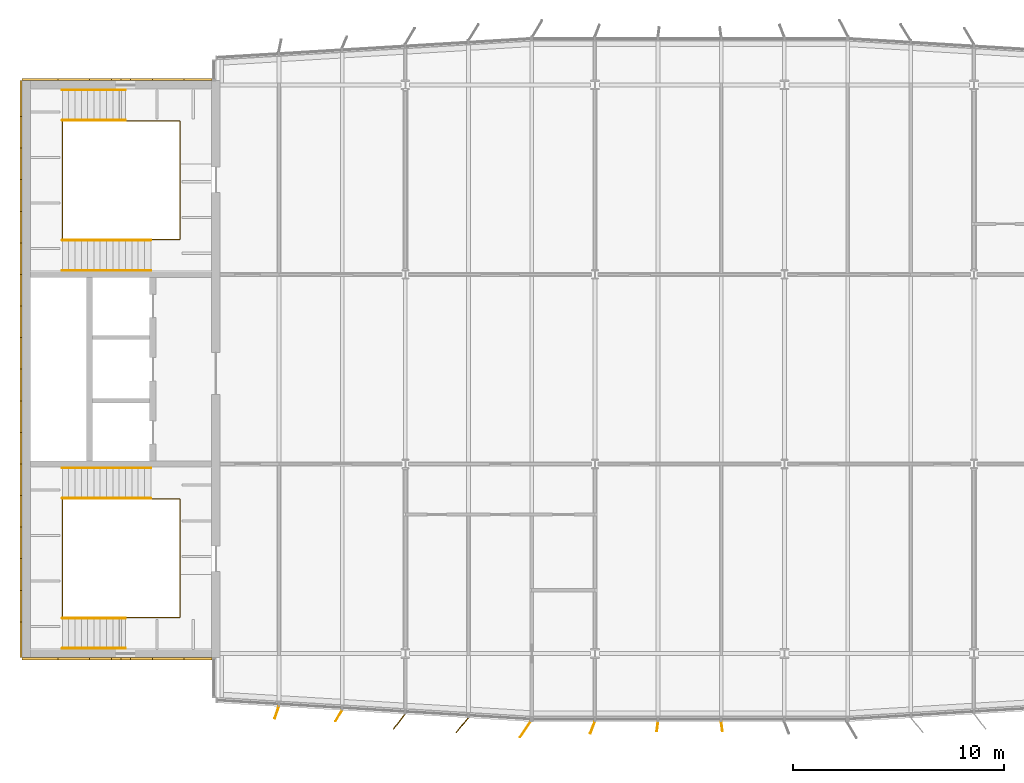
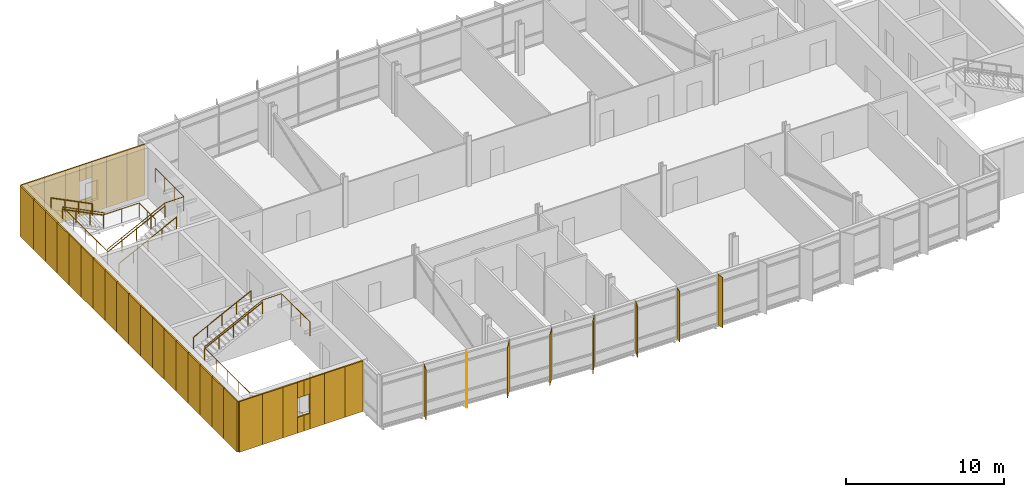
# One storey, part 16 of 18: 38 coverings, 10 railings, 8 shading devices.
"""IFC4 building model written with IfcOpenShell, lengths in metres."""

from ifc_helpers import new_model, si_unit, direction, frame, origin, origin_2d, place, context, subcontext, project, spatial, rectangle, circle, extrude, material, layer, layer_set, type_object, element, save


model = new_model("IFC4")

# Units and contexts
model_context = context("Model", 3, precision=1e-05, world=origin(), true_north=direction((0.0, 1.0)))
body_context = subcontext(model_context, "Body", "Model", "MODEL_VIEW")
ifc_project = project(units=[si_unit("LENGTHUNIT", "METRE"), si_unit("AREAUNIT", "SQUARE_METRE"), si_unit("VOLUMEUNIT", "CUBIC_METRE"), si_unit("PLANEANGLEUNIT", "RADIAN"), si_unit("MASSUNIT", "GRAM", prefix="KILO")], contexts=[model_context])

# Site, building, storey
site_placement = place(None, origin())
site = spatial("IfcSite", under=ifc_project, at=site_placement, CompositionType="ELEMENT")
building_placement = place(site_placement, origin())
building = spatial("IfcBuilding", under=site, at=building_placement, Name="Azimuth Sports and Learning Centre", CompositionType="ELEMENT")
storey_placement = place(building_placement, frame((0.0, 0.0, 55.800048828125)))
storey = spatial("IfcBuildingStorey", under=building, at=storey_placement, Name="L12", CompositionType="ELEMENT", Elevation=55.800048828125)

# Coverings
ifc_material_1 = material(Name="Cladding panel")
ifc_layer_1 = layer(ifc_material_1, 0.10009765625)
ifc_layer_set_1 = layer_set([ifc_layer_1], Name="Cladding panel")
covering_type = type_object("IfcCoveringType", Name="Cladding panel 100", PredefinedType="CLADDING", material=ifc_layer_set_1)
covering_1_placement = place(storey_placement, frame((54.64990234375, 89.75, 0.0), z_axis=(0.0, 0.0, 1.0), x_axis=(1.0, 0.0, 0.0)))
element("IfcCovering", 1, at=covering_1_placement, inside=storey, type_object=covering_type, Name="Cladding panel S-CORE W L12 1", PredefinedType="CLADDING", context=body_context, shape_type="SweptSolid", body=[
    extrude(rectangle(XDim=1.699951171875, YDim=0.10009765625, at=origin_2d()), origin(), (0.0, 0.0, 1.0), 3.89990234375),
])
covering_2_placement = place(storey_placement, frame((56.25, 89.75, 0.0), z_axis=(0.0, 0.0, 1.0), x_axis=(1.0, 0.0, 0.0)))
element("IfcCovering", 2, at=covering_2_placement, inside=storey, type_object=covering_type, Name="Cladding panel S-CORE W L12 2", PredefinedType="CLADDING", context=body_context, shape_type="SweptSolid", body=[
    extrude(rectangle(XDim=1.5, YDim=0.10009765625, at=origin_2d()), origin(), (0.0, 0.0, 1.0), 3.89990234375),
])
covering_3_placement = place(storey_placement, frame((57.52490234375, 89.75, 0.0), z_axis=(0.0, 0.0, 1.0), x_axis=(1.0, 0.0, 0.0)))
element("IfcCovering", 3, at=covering_3_placement, inside=storey, type_object=covering_type, Name="Cladding panel S-CORE W L12 3", PredefinedType="CLADDING", context=body_context, shape_type="SweptSolid", body=[
    extrude(rectangle(XDim=1.050048828125, YDim=0.10009765625, at=origin_2d()), origin(), (0.0, 0.0, 1.0), 3.89990234375),
])
for number, where, z_axis, x_axis, name in (
    (4, (58.27490234375, 89.75, 0.0), (0.0, 0.0, 1.0), (1.0, 0.0, 0.0), "Cladding panel S-CORE W L12 4"),
    (5, (58.27490234375, 89.75, 2.7001953125), (0.0, 0.0, 1.0), (1.0, 0.0, 0.0), "Cladding panel S-CORE W L12 5"),
):
    element("IfcCovering", number, at=place(storey_placement, frame(where, z_axis=z_axis, x_axis=x_axis)), inside=storey, type_object=covering_type, Name=name, PredefinedType="CLADDING", context=body_context, shape_type="SweptSolid", body=[
        extrude(rectangle(XDim=0.449951171875, YDim=0.10009765625, at=origin_2d()), origin(), (0.0, 0.0, 1.0), 1.199951171875),
    ])
covering_4_placement = place(storey_placement, frame((59.47509765625, 89.75, 0.0), z_axis=(0.0, 0.0, 1.0), x_axis=(1.0, 0.0, 0.0)))
element("IfcCovering", 6, at=covering_4_placement, inside=storey, type_object=covering_type, Name="Cladding panel S-CORE W L12 6", PredefinedType="CLADDING", context=body_context, shape_type="SweptSolid", body=[
    extrude(rectangle(XDim=1.050048828125, YDim=0.10009765625, at=origin_2d()), origin(), (0.0, 0.0, 1.0), 3.89990234375),
])
for number, where, z_axis, x_axis, name in (
    (7, (58.72509765625, 89.75, 0.0), (0.0, 0.0, 1.0), (1.0, 0.0, 0.0), "Cladding panel S-CORE W L12 7"),
    (8, (58.72509765625, 89.75, 2.7001953125), (0.0, 0.0, 1.0), (1.0, 0.0, 0.0), "Cladding panel S-CORE W L12 8"),
):
    element("IfcCovering", number, at=place(storey_placement, frame(where, z_axis=z_axis, x_axis=x_axis)), inside=storey, type_object=covering_type, Name=name, PredefinedType="CLADDING", context=body_context, shape_type="SweptSolid", body=[
        extrude(rectangle(XDim=0.449951171875, YDim=0.10009765625, at=origin_2d()), origin(), (0.0, 0.0, 1.0), 1.199951171875),
    ])
covering_5_placement = place(storey_placement, frame((60.75, 89.75, 0.0), z_axis=(0.0, 0.0, 1.0), x_axis=(1.0, 0.0, 0.0)))
element("IfcCovering", 9, at=covering_5_placement, inside=storey, type_object=covering_type, Name="Cladding panel S-CORE W L12 9", PredefinedType="CLADDING", context=body_context, shape_type="SweptSolid", body=[
    extrude(rectangle(XDim=1.5, YDim=0.10009765625, at=origin_2d()), origin(), (0.0, 0.0, 1.0), 3.89990234375),
])
for number, where, z_axis, x_axis, name in (
    (10, (62.159912109375, 89.75, 0.0), (0.0, 0.0, 1.0), (1.0, 0.0, 0.0), "Cladding panel S-CORE W L12 10"),
    (11, (62.159912109375, 117.25, 0.0), (0.0, 0.0, 1.0), (-1.0, 0.0, 0.0), "Cladding panel N-CORE W L12 1"),
):
    element("IfcCovering", number, at=place(storey_placement, frame(where, z_axis=z_axis, x_axis=x_axis)), inside=storey, type_object=covering_type, Name=name, PredefinedType="CLADDING", context=body_context, shape_type="SweptSolid", body=[
        extrude(rectangle(XDim=1.320068359375, YDim=0.10009765625, at=origin_2d()), origin(), (0.0, 0.0, 1.0), 3.89990234375),
    ])
covering_6_placement = place(storey_placement, frame((60.75, 117.25, 0.0), z_axis=(0.0, 0.0, 1.0), x_axis=(-1.0, 0.0, 0.0)))
element("IfcCovering", 12, at=covering_6_placement, inside=storey, type_object=covering_type, Name="Cladding panel N-CORE W L12 2", PredefinedType="CLADDING", context=body_context, shape_type="SweptSolid", body=[
    extrude(rectangle(XDim=1.5, YDim=0.10009765625, at=origin_2d()), origin(), (0.0, 0.0, 1.0), 3.89990234375),
])
covering_7_placement = place(storey_placement, frame((59.47509765625, 117.25, 0.0), z_axis=(0.0, 0.0, 1.0), x_axis=(-1.0, 0.0, 0.0)))
element("IfcCovering", 13, at=covering_7_placement, inside=storey, type_object=covering_type, Name="Cladding panel N-CORE W L12 3", PredefinedType="CLADDING", context=body_context, shape_type="SweptSolid", body=[
    extrude(rectangle(XDim=1.050048828125, YDim=0.10009765625, at=origin_2d()), origin(), (0.0, 0.0, 1.0), 3.89990234375),
])
for number, where, z_axis, x_axis, name in (
    (14, (58.72509765625, 117.25, 0.0), (0.0, 0.0, 1.0), (-1.0, 0.0, 0.0), "Cladding panel N-CORE W L12 4"),
    (15, (58.72509765625, 117.25, 2.7001953125), (0.0, 0.0, 1.0), (-1.0, 0.0, 0.0), "Cladding panel N-CORE W L12 5"),
):
    element("IfcCovering", number, at=place(storey_placement, frame(where, z_axis=z_axis, x_axis=x_axis)), inside=storey, type_object=covering_type, Name=name, PredefinedType="CLADDING", context=body_context, shape_type="SweptSolid", body=[
        extrude(rectangle(XDim=0.449951171875, YDim=0.10009765625, at=origin_2d()), origin(), (0.0, 0.0, 1.0), 1.199951171875),
    ])
covering_8_placement = place(storey_placement, frame((57.52490234375, 117.25, 0.0), z_axis=(0.0, 0.0, 1.0), x_axis=(-1.0, 0.0, 0.0)))
element("IfcCovering", 16, at=covering_8_placement, inside=storey, type_object=covering_type, Name="Cladding panel N-CORE W L12 6", PredefinedType="CLADDING", context=body_context, shape_type="SweptSolid", body=[
    extrude(rectangle(XDim=1.050048828125, YDim=0.10009765625, at=origin_2d()), origin(), (0.0, 0.0, 1.0), 3.89990234375),
])
for number, where, z_axis, x_axis, name in (
    (17, (58.27490234375, 117.25, 0.0), (0.0, 0.0, 1.0), (-1.0, 0.0, 0.0), "Cladding panel N-CORE W L12 7"),
    (18, (58.27490234375, 117.25, 2.7001953125), (0.0, 0.0, 1.0), (-1.0, 0.0, 0.0), "Cladding panel N-CORE W L12 8"),
):
    element("IfcCovering", number, at=place(storey_placement, frame(where, z_axis=z_axis, x_axis=x_axis)), inside=storey, type_object=covering_type, Name=name, PredefinedType="CLADDING", context=body_context, shape_type="SweptSolid", body=[
        extrude(rectangle(XDim=0.449951171875, YDim=0.10009765625, at=origin_2d()), origin(), (0.0, 0.0, 1.0), 1.199951171875),
    ])
covering_9_placement = place(storey_placement, frame((56.25, 117.25, 0.0), z_axis=(0.0, 0.0, 1.0), x_axis=(-1.0, 0.0, 0.0)))
element("IfcCovering", 19, at=covering_9_placement, inside=storey, type_object=covering_type, Name="Cladding panel N-CORE W L12 9", PredefinedType="CLADDING", context=body_context, shape_type="SweptSolid", body=[
    extrude(rectangle(XDim=1.5, YDim=0.10009765625, at=origin_2d()), origin(), (0.0, 0.0, 1.0), 3.89990234375),
])
for number, where, z_axis, x_axis, name in (
    (20, (54.64990234375, 117.25, 0.0), (0.0, 0.0, 1.0), (-1.0, 0.0, 0.0), "Cladding panel N-CORE W L12 10"),
    (21, (53.75, 116.35009765625, 0.0), (0.0, 0.0, 1.0), (0.0, -1.0, 0.0), "Cladding panel W-CORE W L12 1"),
):
    element("IfcCovering", number, at=place(storey_placement, frame(where, z_axis=z_axis, x_axis=x_axis)), inside=storey, type_object=covering_type, Name=name, PredefinedType="CLADDING", context=body_context, shape_type="SweptSolid", body=[
        extrude(rectangle(XDim=1.699951171875, YDim=0.10009765625, at=origin_2d()), origin(), (0.0, 0.0, 1.0), 3.89990234375),
    ])
for number, where, z_axis, x_axis, name in (
    (22, (53.75, 114.75, 0.0), (0.0, 0.0, 1.0), (0.0, -1.0, 0.0), "Cladding panel W-CORE W L12 2"),
    (23, (53.75, 113.25, 0.0), (0.0, 0.0, 1.0), (0.0, -1.0, 0.0), "Cladding panel W-CORE W L12 3"),
    (24, (53.75, 111.75, 0.0), (0.0, 0.0, 1.0), (0.0, -1.0, 0.0), "Cladding panel W-CORE W L12 4"),
    (25, (53.75, 110.25, 0.0), (0.0, 0.0, 1.0), (0.0, -1.0, 0.0), "Cladding panel W-CORE W L12 5"),
    (26, (53.75, 108.75, 0.0), (0.0, 0.0, 1.0), (0.0, -1.0, 0.0), "Cladding panel W-CORE W L12 6"),
    (27, (53.75, 107.25, 0.0), (0.0, 0.0, 1.0), (0.0, -1.0, 0.0), "Cladding panel W-CORE W L12 7"),
    (28, (53.75, 105.75, 0.0), (0.0, 0.0, 1.0), (0.0, -1.0, 0.0), "Cladding panel W-CORE W L12 8"),
    (29, (53.75, 104.25, 0.0), (0.0, 0.0, 1.0), (0.0, -1.0, 0.0), "Cladding panel W-CORE W L12 9"),
    (30, (53.75, 102.75, 0.0), (0.0, 0.0, 1.0), (0.0, -1.0, 0.0), "Cladding panel W-CORE W L12 10"),
    (31, (53.75, 101.25, 0.0), (0.0, 0.0, 1.0), (0.0, -1.0, 0.0), "Cladding panel W-CORE W L12 11"),
    (32, (53.75, 99.75, 0.0), (0.0, 0.0, 1.0), (0.0, -1.0, 0.0), "Cladding panel W-CORE W L12 12"),
    (33, (53.75, 98.25, 0.0), (0.0, 0.0, 1.0), (0.0, -1.0, 0.0), "Cladding panel W-CORE W L12 13"),
    (34, (53.75, 96.75, 0.0), (0.0, 0.0, 1.0), (0.0, -1.0, 0.0), "Cladding panel W-CORE W L12 14"),
    (35, (53.75, 95.25, 0.0), (0.0, 0.0, 1.0), (0.0, -1.0, 0.0), "Cladding panel W-CORE W L12 15"),
    (36, (53.75, 93.75, 0.0), (0.0, 0.0, 1.0), (0.0, -1.0, 0.0), "Cladding panel W-CORE W L12 16"),
    (37, (53.75, 92.25, 0.0), (0.0, 0.0, 1.0), (0.0, -1.0, 0.0), "Cladding panel W-CORE W L12 17"),
):
    element("IfcCovering", number, at=place(storey_placement, frame(where, z_axis=z_axis, x_axis=x_axis)), inside=storey, type_object=covering_type, Name=name, PredefinedType="CLADDING", context=body_context, shape_type="SweptSolid", body=[
        extrude(rectangle(XDim=1.5, YDim=0.10009765625, at=origin_2d()), origin(), (0.0, 0.0, 1.0), 3.89990234375),
    ])
covering_10_placement = place(storey_placement, frame((53.75, 90.64990234375, 0.0), z_axis=(0.0, 0.0, 1.0), x_axis=(0.0, -1.0, 0.0)))
element("IfcCovering", 38, at=covering_10_placement, inside=storey, type_object=covering_type, Name="Cladding panel W-CORE W L12 18", PredefinedType="CLADDING", context=body_context, shape_type="SweptSolid", body=[
    extrude(rectangle(XDim=1.699951171875, YDim=0.10009765625, at=origin_2d()), origin(), (0.0, 0.0, 1.0), 3.89990234375),
])

# Shading devices
ifc_material_2 = material(Name="Aluminium", Category="aluminium")
ifc_layer_2 = layer(ifc_material_2, 0.0400390625)
ifc_layer_set_2 = layer_set([ifc_layer_2], Name="Aluminium")
shading_device_type_1 = type_object("IfcShadingDeviceType", Name="Shading fin 450", PredefinedType="JALOUSIE", material=ifc_layer_set_2)
for number, where, z_axis, x_axis, name in (
    (39, (83.970703125, 86.536865234375, 0.0), (0.0, 0.0, 1.0), (-0.130263528306, -0.991479406338, 0.0), "Shading fin F12-007"),
    (40, (87.029296875, 86.536865234375, 0.0), (0.0, 0.0, 1.0), (0.130263528306, -0.991479406338, 0.0), "Shading fin F12-008"),
):
    element("IfcShadingDevice", number, at=place(storey_placement, frame(where, z_axis=z_axis, x_axis=x_axis)), inside=storey, type_object=shading_device_type_1, Name=name, PredefinedType="JALOUSIE", context=body_context, shape_type="SweptSolid", body=[
        extrude(rectangle(XDim=0.449951171875, YDim=0.0400390625, at=origin_2d()), origin(), (0.0, 0.0, 1.0), 3.89990234375),
    ])
ifc_material_3 = material(Name="Aluminium", Category="aluminium")
ifc_layer_3 = layer(ifc_material_3, 0.0400390625)
ifc_layer_set_3 = layer_set([ifc_layer_3], Name="Aluminium")
shading_device_type_2 = type_object("IfcShadingDeviceType", Name="Shading fin 600", PredefinedType="JALOUSIE", material=ifc_layer_set_3)
for number, where, z_axis, x_axis, name in (
    (41, (65.892578125, 87.1953125, 0.0), (0.0, 0.0, 1.0), (-0.310280447308, -0.950645067319, 0.0), "Shading fin F12-001"),
    (42, (68.834716796875, 87.041015625, 0.0), (0.0, 0.0, 1.0), (-0.50282122482, -0.864390430228, 0.0), "Shading fin F12-002"),
    (43, (80.8916015625, 86.480224609375, 0.0), (0.0, 0.0, 1.0), (-0.36097797694, -0.932574340288, 0.0), "Shading fin F12-006"),
):
    element("IfcShadingDevice", number, at=place(storey_placement, frame(where, z_axis=z_axis, x_axis=x_axis)), inside=storey, type_object=shading_device_type_2, Name=name, PredefinedType="JALOUSIE", context=body_context, shape_type="SweptSolid", body=[
        extrude(rectangle(XDim=0.60009765625, YDim=0.0400390625, at=origin_2d()), origin(), (0.0, 0.0, 1.0), 3.89990234375),
    ])
ifc_material_4 = material(Name="Aluminium", Category="aluminium")
ifc_layer_4 = layer(ifc_material_4, 0.0400390625)
ifc_layer_set_4 = layer_set([ifc_layer_4], Name="Aluminium")
shading_device_type_3 = type_object("IfcShadingDeviceType", Name="Shading fin 900", PredefinedType="JALOUSIE", material=ifc_layer_set_4)
for number, where, z_axis, x_axis, name in (
    (44, (71.710693359375, 86.76416015625, 0.0), (0.0, 0.0, 1.0), (-0.611135436755, -0.791526043755, 0.0), "Shading fin F12-003"),
    (45, (74.700927734375, 86.591796875, 0.0), (0.0, 0.0, 1.0), (-0.632521516641, -0.77454278835, 0.0), "Shading fin F12-004"),
    (46, (77.695068359375, 86.39208984375, 0.0), (0.0, 0.0, 1.0), (-0.567994981624, -0.823032016904, 0.0), "Shading fin F12-005"),
):
    element("IfcShadingDevice", number, at=place(storey_placement, frame(where, z_axis=z_axis, x_axis=x_axis)), inside=storey, type_object=shading_device_type_3, Name=name, PredefinedType="JALOUSIE", context=body_context, shape_type="SweptSolid", body=[
        extrude(rectangle(XDim=0.89990234375, YDim=0.0400390625, at=origin_2d()), origin(), (0.0, 0.0, 1.0), 3.89990234375),
    ])

# Railings
ifc_material_5 = material(Name="Stainless steel", Category="steel")
railing_type_1 = type_object("IfcRailingType", Name="Stair guard 1100", PredefinedType="GUARDRAIL", material=ifc_material_5)
railing_1_placement = place(storey_placement, frame((61.2900390625, 93.75, 0.0)))
element("IfcRailing", 47, at=railing_1_placement, inside=storey, type_object=railing_type_1, Name="Guard W1 L12 well", PredefinedType="GUARDRAIL", context=body_context, shape_type="SweptSolid", body=[
    extrude(circle(Radius=0.02392578125, at=origin_2d()), frame((0.0, 0.0, 1.076171875), z_axis=(0.0, -1.0, 0.0), x_axis=(1.0, 0.0, 0.0)), (0.0, 0.0, 1.0), 2.0400390625),
    extrude(circle(Radius=0.02392578125, at=origin_2d()), frame((0.0, -2.0400390625, 1.076171875), z_axis=(-1.0, 0.0, 0.0), x_axis=(0.0, -1.0, 0.0)), (0.0, 0.0, 1.0), 2.580078125),
    extrude(circle(Radius=0.02392578125, at=origin_2d()), frame((-2.580078125, -2.0400390625, 1.076171875), z_axis=(0.0, 0.0, 1.0), x_axis=(1.0, 0.0, 0.0)), (0.0, 0.0, 1.0), 0.14990234375),
    extrude(circle(Radius=0.02392578125, at=origin_2d()), frame((-2.580078125, -2.0400390625, 1.22607421875), z_axis=(-0.894427191, 0.0, 0.4472135955), x_axis=(0.0, -1.0, 0.0)), (0.0, 0.0, 1.0), 3.35400390625),
    extrude(circle(Radius=0.02392578125, at=origin_2d()), frame((-5.580078125, -2.0400390625, 2.72607421875), z_axis=(0.0, 1.0, 0.0), x_axis=(-1.0, 0.0, 0.0)), (0.0, 0.0, 1.0), 5.630126953125),
    extrude(circle(Radius=0.02392578125, at=origin_2d()), frame((-5.580078125, 3.590087890625, 2.72607421875), z_axis=(0.0, 0.0, 1.0), x_axis=(1.0, 0.0, 0.0)), (0.0, 0.0, 1.0), 0.150146484375),
    extrude(circle(Radius=0.02392578125, at=origin_2d()), frame((-5.580078125, 3.590087890625, 2.8759765625), z_axis=(0.894437589381, 0.0, 0.447192798132), x_axis=(0.0, 1.0, 0.0)), (0.0, 0.0, 1.0), 4.695556640625),
    extrude(circle(Radius=0.02392578125, at=origin_2d()), frame((-1.380126953125, 3.590087890625, 4.97607421875), z_axis=(1.0, 0.0, 0.0), x_axis=(0.0, 1.0, 0.0)), (0.0, 0.0, 1.0), 1.380126953125),
    extrude(circle(Radius=0.02392578125, at=origin_2d()), frame((0.0, 3.590087890625, 4.97607421875), z_axis=(0.0, -1.0, 0.0), x_axis=(1.0, 0.0, 0.0)), (0.0, 0.0, 1.0), 3.590087890625),
    extrude(circle(Radius=0.01611328125, at=origin_2d()), origin(), (0.0, 0.0, 1.0), 1.052001953125),
    extrude(circle(Radius=0.01611328125, at=origin_2d()), frame((0.0, -1.02001953125, 0.0)), (0.0, 0.0, 1.0), 1.052001953125),
    extrude(circle(Radius=0.01611328125, at=origin_2d()), frame((0.0, -2.0400390625, 0.0)), (0.0, 0.0, 1.0), 1.052001953125),
    extrude(circle(Radius=0.01611328125, at=origin_2d()), frame((-1.2900390625, -2.0400390625, 0.0)), (0.0, 0.0, 1.0), 1.052001953125),
    extrude(circle(Radius=0.01611328125, at=origin_2d()), frame((-2.580078125, -2.0400390625, 0.0)), (0.0, 0.0, 1.0), 1.052001953125),
    extrude(circle(Radius=0.01611328125, at=origin_2d()), frame((-2.580078125, -2.0400390625, 0.14990234375)), (0.0, 0.0, 1.0), 1.052001953125),
    extrude(circle(Radius=0.01611328125, at=origin_2d()), frame((-3.580078125, -2.0400390625, 0.64990234375)), (0.0, 0.0, 1.0), 1.052001953125),
    extrude(circle(Radius=0.01611328125, at=origin_2d()), frame((-4.580078125, -2.0400390625, 1.14990234375)), (0.0, 0.0, 1.0), 1.052001953125),
    extrude(circle(Radius=0.01611328125, at=origin_2d()), frame((-5.580078125, -2.0400390625, 1.64990234375)), (0.0, 0.0, 1.0), 1.052001953125),
    extrude(circle(Radius=0.01611328125, at=origin_2d()), frame((-5.580078125, -0.632568359375, 1.64990234375)), (0.0, 0.0, 1.0), 1.052001953125),
    extrude(circle(Radius=0.01611328125, at=origin_2d()), frame((-5.580078125, 0.77490234375, 1.64990234375)), (0.0, 0.0, 1.0), 1.052001953125),
    extrude(circle(Radius=0.01611328125, at=origin_2d()), frame((-5.580078125, 2.1826171875, 1.64990234375)), (0.0, 0.0, 1.0), 1.052001953125),
    extrude(circle(Radius=0.01611328125, at=origin_2d()), frame((-5.580078125, 3.590087890625, 1.64990234375)), (0.0, 0.0, 1.0), 1.052001953125),
    extrude(circle(Radius=0.01611328125, at=origin_2d()), frame((-5.580078125, 3.590087890625, 1.800048828125)), (0.0, 0.0, 1.0), 1.052001953125),
    extrude(circle(Radius=0.01611328125, at=origin_2d()), frame((-4.530029296875, 3.590087890625, 2.324951171875)), (0.0, 0.0, 1.0), 1.052001953125),
    extrude(circle(Radius=0.01611328125, at=origin_2d()), frame((-3.47998046875, 3.590087890625, 2.85009765625)), (0.0, 0.0, 1.0), 1.052001953125),
    extrude(circle(Radius=0.01611328125, at=origin_2d()), frame((-2.43017578125, 3.590087890625, 3.375)), (0.0, 0.0, 1.0), 1.052001953125),
    extrude(circle(Radius=0.01611328125, at=origin_2d()), frame((-1.380126953125, 3.590087890625, 3.89990234375)), (0.0, 0.0, 1.0), 1.052001953125),
    extrude(circle(Radius=0.01611328125, at=origin_2d()), frame((0.0, 3.590087890625, 3.89990234375)), (0.0, 0.0, 1.0), 1.052001953125),
    extrude(circle(Radius=0.01611328125, at=origin_2d()), frame((0.0, 2.393310546875, 3.89990234375)), (0.0, 0.0, 1.0), 1.052001953125),
    extrude(circle(Radius=0.01611328125, at=origin_2d()), frame((0.0, 1.19677734375, 3.89990234375)), (0.0, 0.0, 1.0), 1.052001953125),
    extrude(circle(Radius=0.01611328125, at=origin_2d()), frame((0.0, 0.0, 3.89990234375)), (0.0, 0.0, 1.0), 1.052001953125),
])
railing_2_placement = place(storey_placement, frame((61.2900390625, 113.25, 0.0)))
element("IfcRailing", 48, at=railing_2_placement, inside=storey, type_object=railing_type_1, Name="Guard W2 L12 well", PredefinedType="GUARDRAIL", context=body_context, shape_type="SweptSolid", body=[
    extrude(circle(Radius=0.02392578125, at=origin_2d()), frame((0.0, 0.0, 1.076171875), z_axis=(0.0, 1.0, 0.0), x_axis=(-1.0, 0.0, 0.0)), (0.0, 0.0, 1.0), 2.0400390625),
    extrude(circle(Radius=0.02392578125, at=origin_2d()), frame((0.0, 2.0400390625, 1.076171875), z_axis=(-1.0, 0.0, 0.0), x_axis=(0.0, -1.0, 0.0)), (0.0, 0.0, 1.0), 2.580078125),
    extrude(circle(Radius=0.02392578125, at=origin_2d()), frame((-2.580078125, 2.0400390625, 1.076171875), z_axis=(0.0, 0.0, 1.0), x_axis=(1.0, 0.0, 0.0)), (0.0, 0.0, 1.0), 0.14990234375),
    extrude(circle(Radius=0.02392578125, at=origin_2d()), frame((-2.580078125, 2.0400390625, 1.22607421875), z_axis=(-0.894427191, 0.0, 0.4472135955), x_axis=(0.0, -1.0, 0.0)), (0.0, 0.0, 1.0), 3.35400390625),
    extrude(circle(Radius=0.02392578125, at=origin_2d()), frame((-5.580078125, 2.0400390625, 2.72607421875), z_axis=(0.0, -1.0, 0.0), x_axis=(1.0, 0.0, 0.0)), (0.0, 0.0, 1.0), 5.630126953125),
    extrude(circle(Radius=0.02392578125, at=origin_2d()), frame((-5.580078125, -3.590087890625, 2.72607421875), z_axis=(0.0, 0.0, 1.0), x_axis=(1.0, 0.0, 0.0)), (0.0, 0.0, 1.0), 0.150146484375),
    extrude(circle(Radius=0.02392578125, at=origin_2d()), frame((-5.580078125, -3.590087890625, 2.8759765625), z_axis=(0.894437589381, 0.0, 0.447192798132), x_axis=(0.0, 1.0, 0.0)), (0.0, 0.0, 1.0), 4.695556640625),
    extrude(circle(Radius=0.02392578125, at=origin_2d()), frame((-1.380126953125, -3.590087890625, 4.97607421875), z_axis=(1.0, 0.0, 0.0), x_axis=(0.0, 1.0, 0.0)), (0.0, 0.0, 1.0), 1.380126953125),
    extrude(circle(Radius=0.02392578125, at=origin_2d()), frame((0.0, -3.590087890625, 4.97607421875), z_axis=(0.0, 1.0, 0.0), x_axis=(-1.0, 0.0, 0.0)), (0.0, 0.0, 1.0), 3.590087890625),
    extrude(circle(Radius=0.01611328125, at=origin_2d()), origin(), (0.0, 0.0, 1.0), 1.052001953125),
    extrude(circle(Radius=0.01611328125, at=origin_2d()), frame((0.0, 1.02001953125, 0.0)), (0.0, 0.0, 1.0), 1.052001953125),
    extrude(circle(Radius=0.01611328125, at=origin_2d()), frame((0.0, 2.0400390625, 0.0)), (0.0, 0.0, 1.0), 1.052001953125),
    extrude(circle(Radius=0.01611328125, at=origin_2d()), frame((-1.2900390625, 2.0400390625, 0.0)), (0.0, 0.0, 1.0), 1.052001953125),
    extrude(circle(Radius=0.01611328125, at=origin_2d()), frame((-2.580078125, 2.0400390625, 0.0)), (0.0, 0.0, 1.0), 1.052001953125),
    extrude(circle(Radius=0.01611328125, at=origin_2d()), frame((-2.580078125, 2.0400390625, 0.14990234375)), (0.0, 0.0, 1.0), 1.052001953125),
    extrude(circle(Radius=0.01611328125, at=origin_2d()), frame((-3.580078125, 2.0400390625, 0.64990234375)), (0.0, 0.0, 1.0), 1.052001953125),
    extrude(circle(Radius=0.01611328125, at=origin_2d()), frame((-4.580078125, 2.0400390625, 1.14990234375)), (0.0, 0.0, 1.0), 1.052001953125),
    extrude(circle(Radius=0.01611328125, at=origin_2d()), frame((-5.580078125, 2.0400390625, 1.64990234375)), (0.0, 0.0, 1.0), 1.052001953125),
    extrude(circle(Radius=0.01611328125, at=origin_2d()), frame((-5.580078125, 0.632568359375, 1.64990234375)), (0.0, 0.0, 1.0), 1.052001953125),
    extrude(circle(Radius=0.01611328125, at=origin_2d()), frame((-5.580078125, -0.77490234375, 1.64990234375)), (0.0, 0.0, 1.0), 1.052001953125),
    extrude(circle(Radius=0.01611328125, at=origin_2d()), frame((-5.580078125, -2.1826171875, 1.64990234375)), (0.0, 0.0, 1.0), 1.052001953125),
    extrude(circle(Radius=0.01611328125, at=origin_2d()), frame((-5.580078125, -3.590087890625, 1.64990234375)), (0.0, 0.0, 1.0), 1.052001953125),
    extrude(circle(Radius=0.01611328125, at=origin_2d()), frame((-5.580078125, -3.590087890625, 1.800048828125)), (0.0, 0.0, 1.0), 1.052001953125),
    extrude(circle(Radius=0.01611328125, at=origin_2d()), frame((-4.530029296875, -3.590087890625, 2.324951171875)), (0.0, 0.0, 1.0), 1.052001953125),
    extrude(circle(Radius=0.01611328125, at=origin_2d()), frame((-3.47998046875, -3.590087890625, 2.85009765625)), (0.0, 0.0, 1.0), 1.052001953125),
    extrude(circle(Radius=0.01611328125, at=origin_2d()), frame((-2.43017578125, -3.590087890625, 3.375)), (0.0, 0.0, 1.0), 1.052001953125),
    extrude(circle(Radius=0.01611328125, at=origin_2d()), frame((-1.380126953125, -3.590087890625, 3.89990234375)), (0.0, 0.0, 1.0), 1.052001953125),
    extrude(circle(Radius=0.01611328125, at=origin_2d()), frame((0.0, -3.590087890625, 3.89990234375)), (0.0, 0.0, 1.0), 1.052001953125),
    extrude(circle(Radius=0.01611328125, at=origin_2d()), frame((0.0, -2.393310546875, 3.89990234375)), (0.0, 0.0, 1.0), 1.052001953125),
    extrude(circle(Radius=0.01611328125, at=origin_2d()), frame((0.0, -1.19677734375, 3.89990234375)), (0.0, 0.0, 1.0), 1.052001953125),
    extrude(circle(Radius=0.01611328125, at=origin_2d()), frame((0.0, 0.0, 3.89990234375)), (0.0, 0.0, 1.0), 1.052001953125),
])
ifc_material_6 = material(Name="Stainless steel", Category="steel")
railing_type_2 = type_object("IfcRailingType", Name="Stair handrail 42", PredefinedType="HANDRAIL", material=ifc_material_6)
for number, where, name in (
    (49, (58.7099609375, 91.679931640625, 0.14990234375), "Handrail W1 L12 flight 1 inner"),
    (50, (58.7099609375, 90.239990234375, 0.14990234375), "Handrail W1 L12 flight 1 outer"),
):
    element("IfcRailing", number, at=place(storey_placement, frame(where)), inside=storey, type_object=railing_type_2, Name=name, PredefinedType="HANDRAIL", context=body_context, shape_type="SweptSolid", body=[
        extrude(circle(Radius=0.02099609375, at=origin_2d()), frame((0.0, 0.0, 0.87890625), z_axis=(-0.894427191, 0.0, 0.4472135955), x_axis=(0.0, -1.0, 0.0)), (0.0, 0.0, 1.0), 3.35400390625),
        extrude(circle(Radius=0.01611328125, at=origin_2d()), origin(), (0.0, 0.0, 1.0), 0.85791015625),
        extrude(circle(Radius=0.01611328125, at=origin_2d()), frame((-1.0, 0.0, 0.5)), (0.0, 0.0, 1.0), 0.85791015625),
        extrude(circle(Radius=0.01611328125, at=origin_2d()), frame((-2.0, 0.0, 1.0)), (0.0, 0.0, 1.0), 0.85791015625),
        extrude(circle(Radius=0.01611328125, at=origin_2d()), frame((-3.0, 0.0, 1.5)), (0.0, 0.0, 1.0), 0.85791015625),
    ])
for number, where, name in (
    (51, (55.7099609375, 97.3701171875, 1.800048828125), "Handrail W1 L12 flight 2 inner"),
    (52, (55.7099609375, 98.81005859375, 1.800048828125), "Handrail W1 L12 flight 2 outer"),
):
    element("IfcRailing", number, at=place(storey_placement, frame(where)), inside=storey, type_object=railing_type_2, Name=name, PredefinedType="HANDRAIL", context=body_context, shape_type="SweptSolid", body=[
        extrude(circle(Radius=0.02099609375, at=origin_2d()), frame((0.0, 0.0, 0.87890625), z_axis=(0.894437589381, 0.0, 0.447192798132), x_axis=(0.0, 1.0, 0.0)), (0.0, 0.0, 1.0), 4.695556640625),
        extrude(circle(Radius=0.01611328125, at=origin_2d()), origin(), (0.0, 0.0, 1.0), 0.85791015625),
        extrude(circle(Radius=0.01611328125, at=origin_2d()), frame((1.050048828125, 0.0, 0.52490234375)), (0.0, 0.0, 1.0), 0.85791015625),
        extrude(circle(Radius=0.01611328125, at=origin_2d()), frame((2.10009765625, 0.0, 1.0498046875)), (0.0, 0.0, 1.0), 0.85791015625),
        extrude(circle(Radius=0.01611328125, at=origin_2d()), frame((3.14990234375, 0.0, 1.574951171875)), (0.0, 0.0, 1.0), 0.85791015625),
        extrude(circle(Radius=0.01611328125, at=origin_2d()), frame((4.199951171875, 0.0, 2.099853515625)), (0.0, 0.0, 1.0), 0.85791015625),
    ])
for number, where, name in (
    (53, (58.7099609375, 115.320068359375, 0.14990234375), "Handrail W2 L12 flight 1 inner"),
    (54, (58.7099609375, 116.760009765625, 0.14990234375), "Handrail W2 L12 flight 1 outer"),
):
    element("IfcRailing", number, at=place(storey_placement, frame(where)), inside=storey, type_object=railing_type_2, Name=name, PredefinedType="HANDRAIL", context=body_context, shape_type="SweptSolid", body=[
        extrude(circle(Radius=0.02099609375, at=origin_2d()), frame((0.0, 0.0, 0.87890625), z_axis=(-0.894427191, 0.0, 0.4472135955), x_axis=(0.0, -1.0, 0.0)), (0.0, 0.0, 1.0), 3.35400390625),
        extrude(circle(Radius=0.01611328125, at=origin_2d()), origin(), (0.0, 0.0, 1.0), 0.85791015625),
        extrude(circle(Radius=0.01611328125, at=origin_2d()), frame((-1.0, 0.0, 0.5)), (0.0, 0.0, 1.0), 0.85791015625),
        extrude(circle(Radius=0.01611328125, at=origin_2d()), frame((-2.0, 0.0, 1.0)), (0.0, 0.0, 1.0), 0.85791015625),
        extrude(circle(Radius=0.01611328125, at=origin_2d()), frame((-3.0, 0.0, 1.5)), (0.0, 0.0, 1.0), 0.85791015625),
    ])
for number, where, name in (
    (55, (55.7099609375, 109.6298828125, 1.800048828125), "Handrail W2 L12 flight 2 inner"),
    (56, (55.7099609375, 108.18994140625, 1.800048828125), "Handrail W2 L12 flight 2 outer"),
):
    element("IfcRailing", number, at=place(storey_placement, frame(where)), inside=storey, type_object=railing_type_2, Name=name, PredefinedType="HANDRAIL", context=body_context, shape_type="SweptSolid", body=[
        extrude(circle(Radius=0.02099609375, at=origin_2d()), frame((0.0, 0.0, 0.87890625), z_axis=(0.894437589381, 0.0, 0.447192798132), x_axis=(0.0, 1.0, 0.0)), (0.0, 0.0, 1.0), 4.695556640625),
        extrude(circle(Radius=0.01611328125, at=origin_2d()), origin(), (0.0, 0.0, 1.0), 0.85791015625),
        extrude(circle(Radius=0.01611328125, at=origin_2d()), frame((1.050048828125, 0.0, 0.52490234375)), (0.0, 0.0, 1.0), 0.85791015625),
        extrude(circle(Radius=0.01611328125, at=origin_2d()), frame((2.10009765625, 0.0, 1.0498046875)), (0.0, 0.0, 1.0), 0.85791015625),
        extrude(circle(Radius=0.01611328125, at=origin_2d()), frame((3.14990234375, 0.0, 1.574951171875)), (0.0, 0.0, 1.0), 0.85791015625),
        extrude(circle(Radius=0.01611328125, at=origin_2d()), frame((4.199951171875, 0.0, 2.099853515625)), (0.0, 0.0, 1.0), 0.85791015625),
    ])

save(model, "model.ifc")
